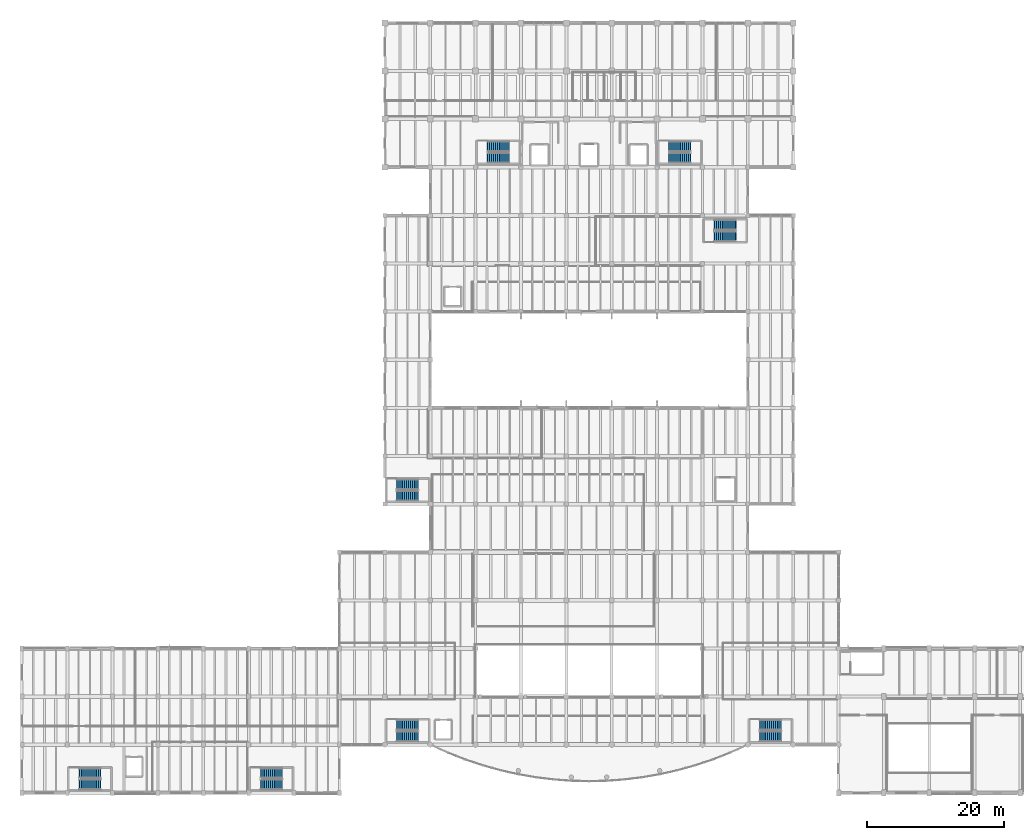
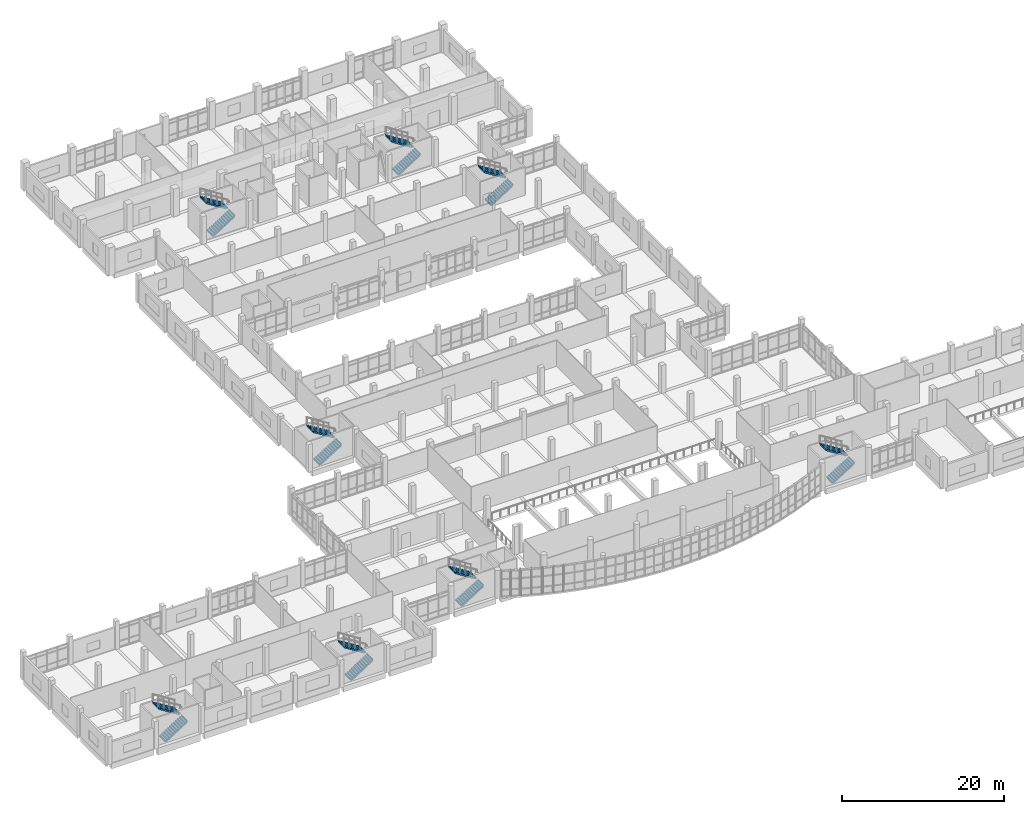
# One storey, part 53 of 68: 16 stair flights, 8 elements without a shape of their own.
"""IFC4 building model written with IfcOpenShell, lengths in metres."""

from ifc_helpers import new_model, si_unit, direction, frame, origin, place, context, subcontext, project, spatial, polyline, outline, extrude, material, type_object, element, aggregate, save


model = new_model("IFC4")

# Units and contexts
model_context = context("Model", 3, precision=1e-05, world=origin(), true_north=direction((0.0, 1.0)))
body_context = subcontext(model_context, "Body", "Model", "MODEL_VIEW")
ifc_project = project(units=[si_unit("LENGTHUNIT", "METRE"), si_unit("AREAUNIT", "SQUARE_METRE"), si_unit("VOLUMEUNIT", "CUBIC_METRE"), si_unit("PLANEANGLEUNIT", "RADIAN"), si_unit("MASSUNIT", "GRAM", prefix="KILO")], contexts=[model_context])

# Site, building, storey
site_placement = place(None, origin())
site = spatial("IfcSite", under=ifc_project, at=site_placement, CompositionType="ELEMENT")
building_placement = place(site_placement, origin())
building = spatial("IfcBuilding", under=site, at=building_placement, Name="Ciguamira Faculty of Natural Sciences", CompositionType="ELEMENT")
storey_placement = place(building_placement, frame((0.0, 0.0, 4.199951171875)))
storey = spatial("IfcBuildingStorey", under=building, at=storey_placement, Name="L01", CompositionType="ELEMENT", Elevation=4.199951171875)

# Stair, stair flights
ifc_material_1 = material(Name="Concrete C40/50", Category="concrete")
stair_type_1 = type_object("IfcStairType", Name="Stair_STR-01", PredefinedType="HALF_TURN_STAIR", material=ifc_material_1)
stair_1_placement = place(storey_placement, origin())
stair_1 = element("IfcStair", 1, at=stair_1_placement, inside=storey, type_object=stair_type_1, Name="L01 Tower West Exit Stair", PredefinedType="HALF_TURN_STAIR")
ifc_material_2 = material(Name="Precast concrete C40/50", Category="concrete")
stair_flight_type_1 = type_object("IfcStairFlightType", Name="StairFlight_SFL-01", PredefinedType="STRAIGHT", material=ifc_material_2)
stair_flight_1_placement = place(storey_placement, frame((72.260009765625, 95.35009765625, 0.0), z_axis=(0.0, 0.0, 1.0), x_axis=(1.0, 0.0, 0.0)))
stair_flight_1 = element("IfcStairFlight", 2, at=stair_flight_1_placement, type_object=stair_flight_type_1, Name="ST-T1 flight 1", NumberOfRisers=12, NumberOfTreads=11, PredefinedType="STRAIGHT", RiserHeight=0.175, TreadLength=0.28, context=body_context, shape_type="SweptSolid", body=[
    extrude(outline(polyline([(-0.080078125, -0.034912109375), (-0.080078125, 0.0), (0.0, 0.0), (0.0, 0.175048828125), (0.280029296875, 0.175048828125), (0.280029296875, 0.35009765625), (0.56005859375, 0.35009765625), (0.56005859375, 0.52490234375), (0.840087890625, 0.52490234375), (0.840087890625, 0.699951171875), (1.1201171875, 0.699951171875), (1.1201171875, 0.875), (1.39990234375, 0.875), (1.39990234375, 1.050048828125), (1.679931640625, 1.050048828125), (1.679931640625, 1.22509765625), (1.9599609375, 1.22509765625), (1.9599609375, 1.39990234375), (2.239990234375, 1.39990234375), (2.239990234375, 1.574951171875), (2.52001953125, 1.574951171875), (2.52001953125, 1.75), (2.800048828125, 1.75), (2.800048828125, 1.925048828125), (3.080078125, 1.925048828125), (3.080078125, 2.10009765625), (3.16015625, 2.10009765625), (3.16015625, 2.065185546875), (3.080078125, 1.748291015625), (0.28271484375, -0.034912109375), (-0.080078125, -0.034912109375)])), frame((0.0, 0.75, 0.0), z_axis=(0.0, -1.0, 0.0), x_axis=(1.0, 0.0, 0.0)), (0.0, 0.0, 1.0), 1.5),
])
stair_flight_2_placement = place(storey_placement, frame((75.340087890625, 97.010009765625, 2.10009765625), z_axis=(0.0, 0.0, 1.0), x_axis=(-1.0, 0.0, 0.0)))
stair_flight_2 = element("IfcStairFlight", 3, at=stair_flight_2_placement, type_object=stair_flight_type_1, Name="ST-T1 flight 2", NumberOfRisers=12, NumberOfTreads=11, PredefinedType="STRAIGHT", RiserHeight=0.175, TreadLength=0.28, context=body_context, shape_type="SweptSolid", body=[
    extrude(outline(polyline([(-0.080078125, -0.034912109375), (-0.080078125, 0.0), (0.0, 0.0), (0.0, 0.175048828125), (0.280029296875, 0.175048828125), (0.280029296875, 0.35009765625), (0.56005859375, 0.35009765625), (0.56005859375, 0.52490234375), (0.840087890625, 0.52490234375), (0.840087890625, 0.699951171875), (1.1201171875, 0.699951171875), (1.1201171875, 0.875), (1.39990234375, 0.875), (1.39990234375, 1.050048828125), (1.679931640625, 1.050048828125), (1.679931640625, 1.22509765625), (1.9599609375, 1.22509765625), (1.9599609375, 1.39990234375), (2.239990234375, 1.39990234375), (2.239990234375, 1.574951171875), (2.52001953125, 1.574951171875), (2.52001953125, 1.75), (2.800048828125, 1.75), (2.800048828125, 1.925048828125), (3.080078125, 1.925048828125), (3.080078125, 2.10009765625), (3.16015625, 2.10009765625), (3.16015625, 2.065185546875), (3.080078125, 1.748291015625), (0.28271484375, -0.034912109375), (-0.080078125, -0.034912109375)])), frame((0.0, 0.75, 0.0), z_axis=(0.0, -1.0, 0.0), x_axis=(1.0, 0.0, 0.0)), (0.0, 0.0, 1.0), 1.5),
])
aggregate(stair_1, [stair_flight_1, stair_flight_2])

stair_2_placement = place(storey_placement, origin())
stair_2 = element("IfcStair", 4, at=stair_2_placement, inside=storey, type_object=stair_type_1, Name="L01 Atrium West Exit Stair", PredefinedType="HALF_TURN_STAIR")
stair_flight_3_placement = place(storey_placement, frame((59.06005859375, 11.199951171875, 0.0), z_axis=(0.0, 0.0, 1.0), x_axis=(1.0, 0.0, 0.0)))
stair_flight_3 = element("IfcStairFlight", 5, at=stair_flight_3_placement, type_object=stair_flight_type_1, Name="ST-A1 flight 1", NumberOfRisers=12, NumberOfTreads=11, PredefinedType="STRAIGHT", RiserHeight=0.175, TreadLength=0.28, context=body_context, shape_type="SweptSolid", body=[
    extrude(outline(polyline([(-0.080078125, -0.034912109375), (-0.080078125, 0.0), (0.0, 0.0), (0.0, 0.175048828125), (0.280029296875, 0.175048828125), (0.280029296875, 0.35009765625), (0.56005859375, 0.35009765625), (0.56005859375, 0.52490234375), (0.840087890625, 0.52490234375), (0.840087890625, 0.699951171875), (1.1201171875, 0.699951171875), (1.1201171875, 0.875), (1.39990234375, 0.875), (1.39990234375, 1.050048828125), (1.679931640625, 1.050048828125), (1.679931640625, 1.22509765625), (1.9599609375, 1.22509765625), (1.9599609375, 1.39990234375), (2.239990234375, 1.39990234375), (2.239990234375, 1.574951171875), (2.52001953125, 1.574951171875), (2.52001953125, 1.75), (2.800048828125, 1.75), (2.800048828125, 1.925048828125), (3.080078125, 1.925048828125), (3.080078125, 2.10009765625), (3.16015625, 2.10009765625), (3.16015625, 2.065185546875), (3.080078125, 1.748291015625), (0.28271484375, -0.034912109375), (-0.080078125, -0.034912109375)])), frame((0.0, 0.75, 0.0), z_axis=(0.0, -1.0, 0.0), x_axis=(1.0, 0.0, 0.0)), (0.0, 0.0, 1.0), 1.5),
])
stair_flight_4_placement = place(storey_placement, frame((62.139892578125, 12.860107421875, 2.10009765625), z_axis=(0.0, 0.0, 1.0), x_axis=(-1.0, 0.0, 0.0)))
stair_flight_4 = element("IfcStairFlight", 6, at=stair_flight_4_placement, type_object=stair_flight_type_1, Name="ST-A1 flight 2", NumberOfRisers=12, NumberOfTreads=11, PredefinedType="STRAIGHT", RiserHeight=0.175, TreadLength=0.28, context=body_context, shape_type="SweptSolid", body=[
    extrude(outline(polyline([(-0.080078125, -0.034912109375), (-0.080078125, 0.0), (0.0, 0.0), (0.0, 0.175048828125), (0.280029296875, 0.175048828125), (0.280029296875, 0.35009765625), (0.56005859375, 0.35009765625), (0.56005859375, 0.52490234375), (0.840087890625, 0.52490234375), (0.840087890625, 0.699951171875), (1.1201171875, 0.699951171875), (1.1201171875, 0.875), (1.39990234375, 0.875), (1.39990234375, 1.050048828125), (1.679931640625, 1.050048828125), (1.679931640625, 1.22509765625), (1.9599609375, 1.22509765625), (1.9599609375, 1.39990234375), (2.239990234375, 1.39990234375), (2.239990234375, 1.574951171875), (2.52001953125, 1.574951171875), (2.52001953125, 1.75), (2.800048828125, 1.75), (2.800048828125, 1.925048828125), (3.080078125, 1.925048828125), (3.080078125, 2.10009765625), (3.16015625, 2.10009765625), (3.16015625, 2.065185546875), (3.080078125, 1.748291015625), (0.28271484375, -0.034912109375), (-0.080078125, -0.034912109375)])), frame((0.0, 0.75, 0.0), z_axis=(0.0, -1.0, 0.0), x_axis=(1.0, 0.0, 0.0)), (0.0, 0.0, 1.0), 1.5),
])
aggregate(stair_2, [stair_flight_3, stair_flight_4])

stair_3_placement = place(storey_placement, origin())
stair_3 = element("IfcStair", 7, at=stair_3_placement, inside=storey, type_object=stair_type_1, Name="L01 Commons West Exit Stair", PredefinedType="HALF_TURN_STAIR")
stair_flight_5_placement = place(storey_placement, frame((12.860107421875, 4.199951171875, 0.0), z_axis=(0.0, 0.0, 1.0), x_axis=(1.0, 0.0, 0.0)))
stair_flight_5 = element("IfcStairFlight", 8, at=stair_flight_5_placement, type_object=stair_flight_type_1, Name="ST-C1 flight 1", NumberOfRisers=12, NumberOfTreads=11, PredefinedType="STRAIGHT", RiserHeight=0.175, TreadLength=0.28, context=body_context, shape_type="SweptSolid", body=[
    extrude(outline(polyline([(-0.080078125, -0.034912109375), (-0.080078125, 0.0), (0.0, 0.0), (0.0, 0.175048828125), (0.280029296875, 0.175048828125), (0.280029296875, 0.35009765625), (0.56005859375, 0.35009765625), (0.56005859375, 0.52490234375), (0.840087890625, 0.52490234375), (0.840087890625, 0.699951171875), (1.1201171875, 0.699951171875), (1.1201171875, 0.875), (1.39990234375, 0.875), (1.39990234375, 1.050048828125), (1.679931640625, 1.050048828125), (1.679931640625, 1.22509765625), (1.9599609375, 1.22509765625), (1.9599609375, 1.39990234375), (2.239990234375, 1.39990234375), (2.239990234375, 1.574951171875), (2.52001953125, 1.574951171875), (2.52001953125, 1.75), (2.800048828125, 1.75), (2.800048828125, 1.925048828125), (3.080078125, 1.925048828125), (3.080078125, 2.10009765625), (3.16015625, 2.10009765625), (3.16015625, 2.065185546875), (3.080078125, 1.748291015625), (0.28271484375, -0.034912109375), (-0.080078125, -0.034912109375)])), frame((0.0, 0.75, 0.0), z_axis=(0.0, -1.0, 0.0), x_axis=(1.0, 0.0, 0.0)), (0.0, 0.0, 1.0), 1.5),
])
stair_flight_6_placement = place(storey_placement, frame((15.93994140625, 5.860107421875, 2.10009765625), z_axis=(0.0, 0.0, 1.0), x_axis=(-1.0, 0.0, 0.0)))
stair_flight_6 = element("IfcStairFlight", 9, at=stair_flight_6_placement, type_object=stair_flight_type_1, Name="ST-C1 flight 2", NumberOfRisers=12, NumberOfTreads=11, PredefinedType="STRAIGHT", RiserHeight=0.175, TreadLength=0.28, context=body_context, shape_type="SweptSolid", body=[
    extrude(outline(polyline([(-0.080078125, -0.034912109375), (-0.080078125, 0.0), (0.0, 0.0), (0.0, 0.175048828125), (0.280029296875, 0.175048828125), (0.280029296875, 0.35009765625), (0.56005859375, 0.35009765625), (0.56005859375, 0.52490234375), (0.840087890625, 0.52490234375), (0.840087890625, 0.699951171875), (1.1201171875, 0.699951171875), (1.1201171875, 0.875), (1.39990234375, 0.875), (1.39990234375, 1.050048828125), (1.679931640625, 1.050048828125), (1.679931640625, 1.22509765625), (1.9599609375, 1.22509765625), (1.9599609375, 1.39990234375), (2.239990234375, 1.39990234375), (2.239990234375, 1.574951171875), (2.52001953125, 1.574951171875), (2.52001953125, 1.75), (2.800048828125, 1.75), (2.800048828125, 1.925048828125), (3.080078125, 1.925048828125), (3.080078125, 2.10009765625), (3.16015625, 2.10009765625), (3.16015625, 2.065185546875), (3.080078125, 1.748291015625), (0.28271484375, -0.034912109375), (-0.080078125, -0.034912109375)])), frame((0.0, 0.75, 0.0), z_axis=(0.0, -1.0, 0.0), x_axis=(1.0, 0.0, 0.0)), (0.0, 0.0, 1.0), 1.5),
])
aggregate(stair_3, [stair_flight_5, stair_flight_6])

stair_4_placement = place(storey_placement, origin())
stair_4 = element("IfcStair", 10, at=stair_4_placement, inside=storey, type_object=stair_type_1, Name="L01 Wave Labs South-West Exit Stair", PredefinedType="HALF_TURN_STAIR")
stair_flight_7_placement = place(storey_placement, frame((59.06005859375, 46.199951171875, 0.0), z_axis=(0.0, 0.0, 1.0), x_axis=(1.0, 0.0, 0.0)))
stair_flight_7 = element("IfcStairFlight", 11, at=stair_flight_7_placement, type_object=stair_flight_type_1, Name="ST-W1 flight 1", NumberOfRisers=12, NumberOfTreads=11, PredefinedType="STRAIGHT", RiserHeight=0.175, TreadLength=0.28, context=body_context, shape_type="SweptSolid", body=[
    extrude(outline(polyline([(-0.080078125, -0.034912109375), (-0.080078125, 0.0), (0.0, 0.0), (0.0, 0.175048828125), (0.280029296875, 0.175048828125), (0.280029296875, 0.35009765625), (0.56005859375, 0.35009765625), (0.56005859375, 0.52490234375), (0.840087890625, 0.52490234375), (0.840087890625, 0.699951171875), (1.1201171875, 0.699951171875), (1.1201171875, 0.875), (1.39990234375, 0.875), (1.39990234375, 1.050048828125), (1.679931640625, 1.050048828125), (1.679931640625, 1.22509765625), (1.9599609375, 1.22509765625), (1.9599609375, 1.39990234375), (2.239990234375, 1.39990234375), (2.239990234375, 1.574951171875), (2.52001953125, 1.574951171875), (2.52001953125, 1.75), (2.800048828125, 1.75), (2.800048828125, 1.925048828125), (3.080078125, 1.925048828125), (3.080078125, 2.10009765625), (3.16015625, 2.10009765625), (3.16015625, 2.065185546875), (3.080078125, 1.748291015625), (0.28271484375, -0.034912109375), (-0.080078125, -0.034912109375)])), frame((0.0, 0.75, 0.0), z_axis=(0.0, -1.0, 0.0), x_axis=(1.0, 0.0, 0.0)), (0.0, 0.0, 1.0), 1.5),
])
stair_flight_8_placement = place(storey_placement, frame((62.139892578125, 47.860107421875, 2.10009765625), z_axis=(0.0, 0.0, 1.0), x_axis=(-1.0, 0.0, 0.0)))
stair_flight_8 = element("IfcStairFlight", 12, at=stair_flight_8_placement, type_object=stair_flight_type_1, Name="ST-W1 flight 2", NumberOfRisers=12, NumberOfTreads=11, PredefinedType="STRAIGHT", RiserHeight=0.175, TreadLength=0.28, context=body_context, shape_type="SweptSolid", body=[
    extrude(outline(polyline([(-0.080078125, -0.034912109375), (-0.080078125, 0.0), (0.0, 0.0), (0.0, 0.175048828125), (0.280029296875, 0.175048828125), (0.280029296875, 0.35009765625), (0.56005859375, 0.35009765625), (0.56005859375, 0.52490234375), (0.840087890625, 0.52490234375), (0.840087890625, 0.699951171875), (1.1201171875, 0.699951171875), (1.1201171875, 0.875), (1.39990234375, 0.875), (1.39990234375, 1.050048828125), (1.679931640625, 1.050048828125), (1.679931640625, 1.22509765625), (1.9599609375, 1.22509765625), (1.9599609375, 1.39990234375), (2.239990234375, 1.39990234375), (2.239990234375, 1.574951171875), (2.52001953125, 1.574951171875), (2.52001953125, 1.75), (2.800048828125, 1.75), (2.800048828125, 1.925048828125), (3.080078125, 1.925048828125), (3.080078125, 2.10009765625), (3.16015625, 2.10009765625), (3.16015625, 2.065185546875), (3.080078125, 1.748291015625), (0.28271484375, -0.034912109375), (-0.080078125, -0.034912109375)])), frame((0.0, 0.75, 0.0), z_axis=(0.0, -1.0, 0.0), x_axis=(1.0, 0.0, 0.0)), (0.0, 0.0, 1.0), 1.5),
])
aggregate(stair_4, [stair_flight_7, stair_flight_8])

stair_type_2 = type_object("IfcStairType", Name="Stair_STR-02", PredefinedType="HALF_TURN_STAIR", material=ifc_material_1)
stair_5_placement = place(storey_placement, origin())
stair_5 = element("IfcStair", 13, at=stair_5_placement, inside=storey, type_object=stair_type_2, Name="L01 Tower East Exit Stair", PredefinedType="HALF_TURN_STAIR")
stair_flight_type_2 = type_object("IfcStairFlightType", Name="StairFlight_SFL-02", PredefinedType="STRAIGHT", material=ifc_material_2)
stair_flight_9_placement = place(storey_placement, frame((98.659912109375, 95.35009765625, 0.0), z_axis=(0.0, 0.0, 1.0), x_axis=(1.0, 0.0, 0.0)))
stair_flight_9 = element("IfcStairFlight", 14, at=stair_flight_9_placement, type_object=stair_flight_type_2, Name="ST-T2 flight 1", NumberOfRisers=12, NumberOfTreads=11, PredefinedType="STRAIGHT", RiserHeight=0.175, TreadLength=0.28, context=body_context, shape_type="SweptSolid", body=[
    extrude(outline(polyline([(-0.080078125, -0.034912109375), (-0.080078125, 0.0), (0.0, 0.0), (0.0, 0.175048828125), (0.280029296875, 0.175048828125), (0.280029296875, 0.35009765625), (0.56005859375, 0.35009765625), (0.56005859375, 0.52490234375), (0.840087890625, 0.52490234375), (0.840087890625, 0.699951171875), (1.1201171875, 0.699951171875), (1.1201171875, 0.875), (1.39990234375, 0.875), (1.39990234375, 1.050048828125), (1.679931640625, 1.050048828125), (1.679931640625, 1.22509765625), (1.9599609375, 1.22509765625), (1.9599609375, 1.39990234375), (2.239990234375, 1.39990234375), (2.239990234375, 1.574951171875), (2.52001953125, 1.574951171875), (2.52001953125, 1.75), (2.800048828125, 1.75), (2.800048828125, 1.925048828125), (3.080078125, 1.925048828125), (3.080078125, 2.10009765625), (3.16015625, 2.10009765625), (3.16015625, 2.065185546875), (3.080078125, 1.748291015625), (0.28271484375, -0.034912109375), (-0.080078125, -0.034912109375)])), frame((0.0, 0.75, 0.0), z_axis=(0.0, -1.0, 0.0), x_axis=(1.0, 0.0, 0.0)), (0.0, 0.0, 1.0), 1.5),
])
stair_flight_10_placement = place(storey_placement, frame((101.739990234375, 97.010009765625, 2.10009765625), z_axis=(0.0, 0.0, 1.0), x_axis=(-1.0, 0.0, 0.0)))
stair_flight_10 = element("IfcStairFlight", 15, at=stair_flight_10_placement, type_object=stair_flight_type_2, Name="ST-T2 flight 2", NumberOfRisers=12, NumberOfTreads=11, PredefinedType="STRAIGHT", RiserHeight=0.175, TreadLength=0.28, context=body_context, shape_type="SweptSolid", body=[
    extrude(outline(polyline([(-0.080078125, -0.034912109375), (-0.080078125, 0.0), (0.0, 0.0), (0.0, 0.175048828125), (0.280029296875, 0.175048828125), (0.280029296875, 0.35009765625), (0.56005859375, 0.35009765625), (0.56005859375, 0.52490234375), (0.840087890625, 0.52490234375), (0.840087890625, 0.699951171875), (1.1201171875, 0.699951171875), (1.1201171875, 0.875), (1.39990234375, 0.875), (1.39990234375, 1.050048828125), (1.679931640625, 1.050048828125), (1.679931640625, 1.22509765625), (1.9599609375, 1.22509765625), (1.9599609375, 1.39990234375), (2.239990234375, 1.39990234375), (2.239990234375, 1.574951171875), (2.52001953125, 1.574951171875), (2.52001953125, 1.75), (2.800048828125, 1.75), (2.800048828125, 1.925048828125), (3.080078125, 1.925048828125), (3.080078125, 2.10009765625), (3.16015625, 2.10009765625), (3.16015625, 2.065185546875), (3.080078125, 1.748291015625), (0.28271484375, -0.034912109375), (-0.080078125, -0.034912109375)])), frame((0.0, 0.75, 0.0), z_axis=(0.0, -1.0, 0.0), x_axis=(1.0, 0.0, 0.0)), (0.0, 0.0, 1.0), 1.5),
])
aggregate(stair_5, [stair_flight_9, stair_flight_10])

stair_6_placement = place(storey_placement, origin())
stair_6 = element("IfcStair", 16, at=stair_6_placement, inside=storey, type_object=stair_type_2, Name="L01 Atrium East Exit Stair", PredefinedType="HALF_TURN_STAIR")
stair_flight_11_placement = place(storey_placement, frame((111.860107421875, 11.199951171875, 0.0), z_axis=(0.0, 0.0, 1.0), x_axis=(1.0, 0.0, 0.0)))
stair_flight_11 = element("IfcStairFlight", 17, at=stair_flight_11_placement, type_object=stair_flight_type_2, Name="ST-A2 flight 1", NumberOfRisers=12, NumberOfTreads=11, PredefinedType="STRAIGHT", RiserHeight=0.175, TreadLength=0.28, context=body_context, shape_type="SweptSolid", body=[
    extrude(outline(polyline([(-0.080078125, -0.034912109375), (-0.080078125, 0.0), (0.0, 0.0), (0.0, 0.175048828125), (0.280029296875, 0.175048828125), (0.280029296875, 0.35009765625), (0.56005859375, 0.35009765625), (0.56005859375, 0.52490234375), (0.840087890625, 0.52490234375), (0.840087890625, 0.699951171875), (1.1201171875, 0.699951171875), (1.1201171875, 0.875), (1.39990234375, 0.875), (1.39990234375, 1.050048828125), (1.679931640625, 1.050048828125), (1.679931640625, 1.22509765625), (1.9599609375, 1.22509765625), (1.9599609375, 1.39990234375), (2.239990234375, 1.39990234375), (2.239990234375, 1.574951171875), (2.52001953125, 1.574951171875), (2.52001953125, 1.75), (2.800048828125, 1.75), (2.800048828125, 1.925048828125), (3.080078125, 1.925048828125), (3.080078125, 2.10009765625), (3.16015625, 2.10009765625), (3.16015625, 2.065185546875), (3.080078125, 1.748291015625), (0.28271484375, -0.034912109375), (-0.080078125, -0.034912109375)])), frame((0.0, 0.75, 0.0), z_axis=(0.0, -1.0, 0.0), x_axis=(1.0, 0.0, 0.0)), (0.0, 0.0, 1.0), 1.5),
])
stair_flight_12_placement = place(storey_placement, frame((114.93994140625, 12.860107421875, 2.10009765625), z_axis=(0.0, 0.0, 1.0), x_axis=(-1.0, 0.0, 0.0)))
stair_flight_12 = element("IfcStairFlight", 18, at=stair_flight_12_placement, type_object=stair_flight_type_2, Name="ST-A2 flight 2", NumberOfRisers=12, NumberOfTreads=11, PredefinedType="STRAIGHT", RiserHeight=0.175, TreadLength=0.28, context=body_context, shape_type="SweptSolid", body=[
    extrude(outline(polyline([(-0.080078125, -0.034912109375), (-0.080078125, 0.0), (0.0, 0.0), (0.0, 0.175048828125), (0.280029296875, 0.175048828125), (0.280029296875, 0.35009765625), (0.56005859375, 0.35009765625), (0.56005859375, 0.52490234375), (0.840087890625, 0.52490234375), (0.840087890625, 0.699951171875), (1.1201171875, 0.699951171875), (1.1201171875, 0.875), (1.39990234375, 0.875), (1.39990234375, 1.050048828125), (1.679931640625, 1.050048828125), (1.679931640625, 1.22509765625), (1.9599609375, 1.22509765625), (1.9599609375, 1.39990234375), (2.239990234375, 1.39990234375), (2.239990234375, 1.574951171875), (2.52001953125, 1.574951171875), (2.52001953125, 1.75), (2.800048828125, 1.75), (2.800048828125, 1.925048828125), (3.080078125, 1.925048828125), (3.080078125, 2.10009765625), (3.16015625, 2.10009765625), (3.16015625, 2.065185546875), (3.080078125, 1.748291015625), (0.28271484375, -0.034912109375), (-0.080078125, -0.034912109375)])), frame((0.0, 0.75, 0.0), z_axis=(0.0, -1.0, 0.0), x_axis=(1.0, 0.0, 0.0)), (0.0, 0.0, 1.0), 1.5),
])
aggregate(stair_6, [stair_flight_11, stair_flight_12])

stair_7_placement = place(storey_placement, origin())
stair_7 = element("IfcStair", 19, at=stair_7_placement, inside=storey, type_object=stair_type_2, Name="L01 Commons East Exit Stair", PredefinedType="HALF_TURN_STAIR")
stair_flight_13_placement = place(storey_placement, frame((39.260009765625, 4.199951171875, 0.0), z_axis=(0.0, 0.0, 1.0), x_axis=(1.0, 0.0, 0.0)))
stair_flight_13 = element("IfcStairFlight", 20, at=stair_flight_13_placement, type_object=stair_flight_type_2, Name="ST-C2 flight 1", NumberOfRisers=12, NumberOfTreads=11, PredefinedType="STRAIGHT", RiserHeight=0.175, TreadLength=0.28, context=body_context, shape_type="SweptSolid", body=[
    extrude(outline(polyline([(-0.080078125, -0.034912109375), (-0.080078125, 0.0), (0.0, 0.0), (0.0, 0.175048828125), (0.280029296875, 0.175048828125), (0.280029296875, 0.35009765625), (0.56005859375, 0.35009765625), (0.56005859375, 0.52490234375), (0.840087890625, 0.52490234375), (0.840087890625, 0.699951171875), (1.1201171875, 0.699951171875), (1.1201171875, 0.875), (1.39990234375, 0.875), (1.39990234375, 1.050048828125), (1.679931640625, 1.050048828125), (1.679931640625, 1.22509765625), (1.9599609375, 1.22509765625), (1.9599609375, 1.39990234375), (2.239990234375, 1.39990234375), (2.239990234375, 1.574951171875), (2.52001953125, 1.574951171875), (2.52001953125, 1.75), (2.800048828125, 1.75), (2.800048828125, 1.925048828125), (3.080078125, 1.925048828125), (3.080078125, 2.10009765625), (3.16015625, 2.10009765625), (3.16015625, 2.065185546875), (3.080078125, 1.748291015625), (0.28271484375, -0.034912109375), (-0.080078125, -0.034912109375)])), frame((0.0, 0.75, 0.0), z_axis=(0.0, -1.0, 0.0), x_axis=(1.0, 0.0, 0.0)), (0.0, 0.0, 1.0), 1.5),
])
stair_flight_14_placement = place(storey_placement, frame((42.340087890625, 5.860107421875, 2.10009765625), z_axis=(0.0, 0.0, 1.0), x_axis=(-1.0, 0.0, 0.0)))
stair_flight_14 = element("IfcStairFlight", 21, at=stair_flight_14_placement, type_object=stair_flight_type_2, Name="ST-C2 flight 2", NumberOfRisers=12, NumberOfTreads=11, PredefinedType="STRAIGHT", RiserHeight=0.175, TreadLength=0.28, context=body_context, shape_type="SweptSolid", body=[
    extrude(outline(polyline([(-0.080078125, -0.034912109375), (-0.080078125, 0.0), (0.0, 0.0), (0.0, 0.175048828125), (0.280029296875, 0.175048828125), (0.280029296875, 0.35009765625), (0.56005859375, 0.35009765625), (0.56005859375, 0.52490234375), (0.840087890625, 0.52490234375), (0.840087890625, 0.699951171875), (1.1201171875, 0.699951171875), (1.1201171875, 0.875), (1.39990234375, 0.875), (1.39990234375, 1.050048828125), (1.679931640625, 1.050048828125), (1.679931640625, 1.22509765625), (1.9599609375, 1.22509765625), (1.9599609375, 1.39990234375), (2.239990234375, 1.39990234375), (2.239990234375, 1.574951171875), (2.52001953125, 1.574951171875), (2.52001953125, 1.75), (2.800048828125, 1.75), (2.800048828125, 1.925048828125), (3.080078125, 1.925048828125), (3.080078125, 2.10009765625), (3.16015625, 2.10009765625), (3.16015625, 2.065185546875), (3.080078125, 1.748291015625), (0.28271484375, -0.034912109375), (-0.080078125, -0.034912109375)])), frame((0.0, 0.75, 0.0), z_axis=(0.0, -1.0, 0.0), x_axis=(1.0, 0.0, 0.0)), (0.0, 0.0, 1.0), 1.5),
])
aggregate(stair_7, [stair_flight_13, stair_flight_14])

stair_8_placement = place(storey_placement, origin())
stair_8 = element("IfcStair", 22, at=stair_8_placement, inside=storey, type_object=stair_type_2, Name="L01 Wave Labs North-East Exit Stair", PredefinedType="HALF_TURN_STAIR")
stair_flight_15_placement = place(storey_placement, frame((105.260009765625, 83.949951171875, 0.0), z_axis=(0.0, 0.0, 1.0), x_axis=(1.0, 0.0, 0.0)))
stair_flight_15 = element("IfcStairFlight", 23, at=stair_flight_15_placement, type_object=stair_flight_type_2, Name="ST-W2 flight 1", NumberOfRisers=12, NumberOfTreads=11, PredefinedType="STRAIGHT", RiserHeight=0.175, TreadLength=0.28, context=body_context, shape_type="SweptSolid", body=[
    extrude(outline(polyline([(-0.080078125, -0.034912109375), (-0.080078125, 0.0), (0.0, 0.0), (0.0, 0.175048828125), (0.280029296875, 0.175048828125), (0.280029296875, 0.35009765625), (0.56005859375, 0.35009765625), (0.56005859375, 0.52490234375), (0.840087890625, 0.52490234375), (0.840087890625, 0.699951171875), (1.1201171875, 0.699951171875), (1.1201171875, 0.875), (1.39990234375, 0.875), (1.39990234375, 1.050048828125), (1.679931640625, 1.050048828125), (1.679931640625, 1.22509765625), (1.9599609375, 1.22509765625), (1.9599609375, 1.39990234375), (2.239990234375, 1.39990234375), (2.239990234375, 1.574951171875), (2.52001953125, 1.574951171875), (2.52001953125, 1.75), (2.800048828125, 1.75), (2.800048828125, 1.925048828125), (3.080078125, 1.925048828125), (3.080078125, 2.10009765625), (3.16015625, 2.10009765625), (3.16015625, 2.065185546875), (3.080078125, 1.748291015625), (0.28271484375, -0.034912109375), (-0.080078125, -0.034912109375)])), frame((0.0, 0.75, 0.0), z_axis=(0.0, -1.0, 0.0), x_axis=(1.0, 0.0, 0.0)), (0.0, 0.0, 1.0), 1.5),
])
stair_flight_16_placement = place(storey_placement, frame((108.340087890625, 85.610107421875, 2.10009765625), z_axis=(0.0, 0.0, 1.0), x_axis=(-1.0, 0.0, 0.0)))
stair_flight_16 = element("IfcStairFlight", 24, at=stair_flight_16_placement, type_object=stair_flight_type_2, Name="ST-W2 flight 2", NumberOfRisers=12, NumberOfTreads=11, PredefinedType="STRAIGHT", RiserHeight=0.175, TreadLength=0.28, context=body_context, shape_type="SweptSolid", body=[
    extrude(outline(polyline([(-0.080078125, -0.034912109375), (-0.080078125, 0.0), (0.0, 0.0), (0.0, 0.175048828125), (0.280029296875, 0.175048828125), (0.280029296875, 0.35009765625), (0.56005859375, 0.35009765625), (0.56005859375, 0.52490234375), (0.840087890625, 0.52490234375), (0.840087890625, 0.699951171875), (1.1201171875, 0.699951171875), (1.1201171875, 0.875), (1.39990234375, 0.875), (1.39990234375, 1.050048828125), (1.679931640625, 1.050048828125), (1.679931640625, 1.22509765625), (1.9599609375, 1.22509765625), (1.9599609375, 1.39990234375), (2.239990234375, 1.39990234375), (2.239990234375, 1.574951171875), (2.52001953125, 1.574951171875), (2.52001953125, 1.75), (2.800048828125, 1.75), (2.800048828125, 1.925048828125), (3.080078125, 1.925048828125), (3.080078125, 2.10009765625), (3.16015625, 2.10009765625), (3.16015625, 2.065185546875), (3.080078125, 1.748291015625), (0.28271484375, -0.034912109375), (-0.080078125, -0.034912109375)])), frame((0.0, 0.75, 0.0), z_axis=(0.0, -1.0, 0.0), x_axis=(1.0, 0.0, 0.0)), (0.0, 0.0, 1.0), 1.5),
])
aggregate(stair_8, [stair_flight_15, stair_flight_16])

save(model, "model.ifc")
